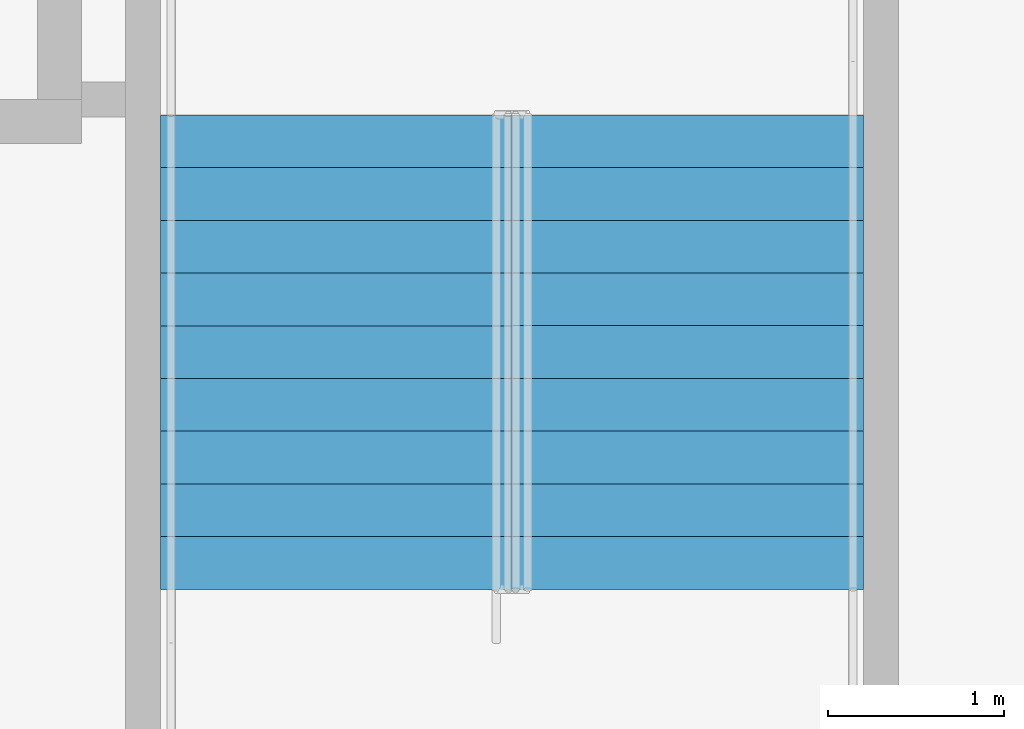
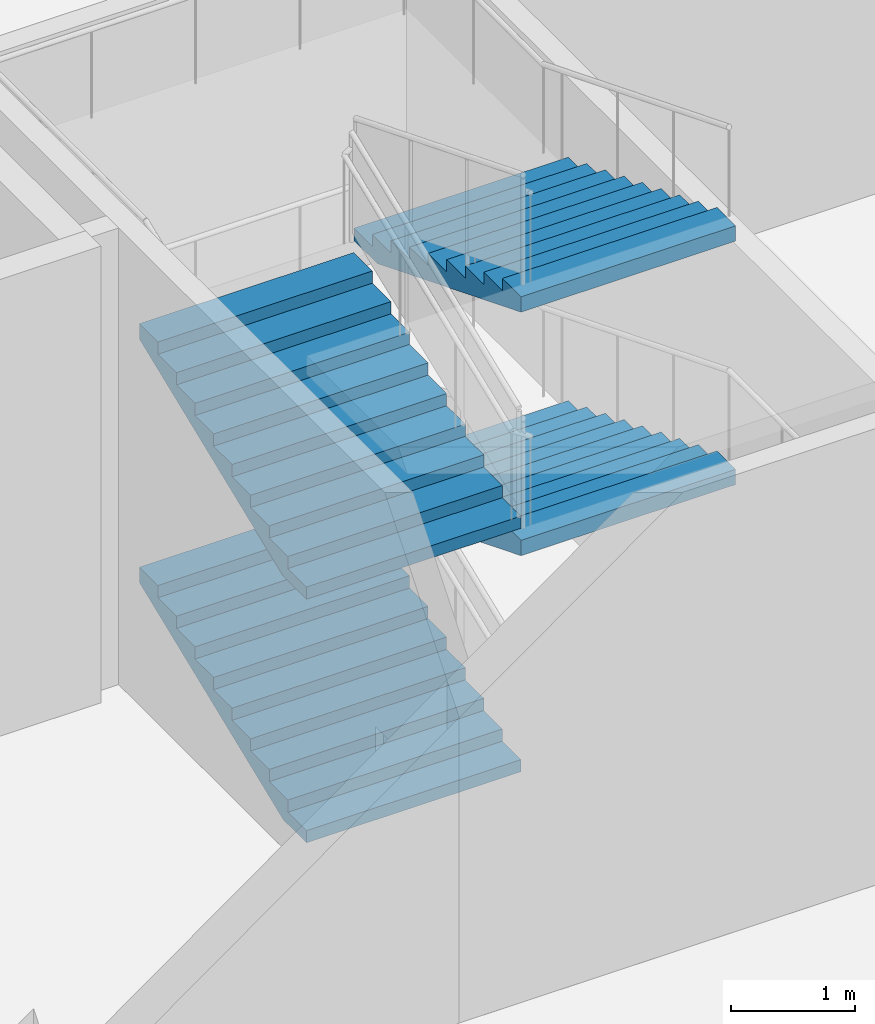
# One storey, part 22 of 26: 4 stair flights, 1 element without a shape of its own.
"""IFC4 building model written with IfcOpenShell, lengths in metres."""

from ifc_helpers import new_model, si_unit, direction, frame, origin, place, context, subcontext, project, spatial, faceted_brep, material, type_object, element, aggregate, save


model = new_model("IFC4")

# Units and contexts
model_context = context("Model", 3, precision=1e-05, world=origin(), true_north=direction((0.0, 1.0)))
body_context = subcontext(model_context, "Body", "Model", "MODEL_VIEW")
ifc_project = project(units=[si_unit("LENGTHUNIT", "METRE"), si_unit("AREAUNIT", "SQUARE_METRE"), si_unit("VOLUMEUNIT", "CUBIC_METRE"), si_unit("PLANEANGLEUNIT", "RADIAN"), si_unit("MASSUNIT", "GRAM", prefix="KILO")], contexts=[model_context])

# Site, building, storey
site_placement = place(None, origin())
site = spatial("IfcSite", under=ifc_project, at=site_placement, CompositionType="ELEMENT")
building_placement = place(site_placement, origin())
building = spatial("IfcBuilding", under=site, at=building_placement, Name="Rulbaag Community and Learning Centre", CompositionType="ELEMENT")
storey_placement = place(building_placement, frame((0.0, 0.0, -9.60009765625)))
storey = spatial("IfcBuildingStorey", under=building, at=storey_placement, Name="B2", CompositionType="ELEMENT", Elevation=-9.60009765625)

# Stair, stair flights
ifc_material = material(Name="Concrete M40", Category="concrete")
stair_type = type_object("IfcStairType", Name="ST-2000 STAIR 2000 WIDE", PredefinedType="HALF_TURN_STAIR", material=ifc_material)
stair_placement = place(storey_placement, origin())
stair = element("IfcStair", 1, at=stair_placement, inside=storey, type_object=stair_type, Name="Stair ST-H3 B2", PredefinedType="HALF_TURN_STAIR")
stair_flight_type = type_object("IfcStairFlightType", Name="FL-2000 FLIGHT 2000 WIDE Concrete M40", PredefinedType="STRAIGHT", material=ifc_material)
stair_flight_1_placement = place(storey_placement, frame((131.300048828125, 44.71240234375, 0.0), z_axis=(0.0, 0.0, 1.0), x_axis=(0.0, 1.0, 0.0)))
stair_flight_1 = element("IfcStairFlight", 2, at=stair_flight_1_placement, type_object=stair_flight_type, Name="ST-H3 flight 1", NumberOfRisers=10, NumberOfTreads=9, PredefinedType="STRAIGHT", RiserHeight=0.12, TreadLength=0.3, context=body_context, shape_type="Brep", body=[
    faceted_brep([(0.376708984375, -1.0, 0.0), (2.699951171875, -1.0, 0.929443359375), (2.699951171875, -1.0, 1.080078125), (2.39990234375, -1.0, 1.080078125), (2.39990234375, -1.0, 0.9599609375), (2.10009765625, -1.0, 0.9599609375), (2.10009765625, -1.0, 0.840087890625), (1.800048828125, -1.0, 0.840087890625), (1.800048828125, -1.0, 0.719970703125), (1.5, -1.0, 0.719970703125), (1.5, -1.0, 0.60009765625), (1.199951171875, -1.0, 0.60009765625), (1.199951171875, -1.0, 0.47998046875), (0.89990234375, -1.0, 0.47998046875), (0.89990234375, -1.0, 0.360107421875), (0.60009765625, -1.0, 0.360107421875), (0.60009765625, -1.0, 0.239990234375), (0.300048828125, -1.0, 0.239990234375), (0.300048828125, -1.0, 0.1201171875), (0.0, -1.0, 0.1201171875), (0.0, -1.0, 0.0), (0.0, 1.0, 0.0), (0.0, 1.0, 0.1201171875), (0.300048828125, 1.0, 0.1201171875), (0.300048828125, 1.0, 0.239990234375), (0.60009765625, 1.0, 0.239990234375), (0.60009765625, 1.0, 0.360107421875), (0.89990234375, 1.0, 0.360107421875), (0.89990234375, 1.0, 0.47998046875), (1.199951171875, 1.0, 0.47998046875), (1.199951171875, 1.0, 0.60009765625), (1.5, 1.0, 0.60009765625), (1.5, 1.0, 0.719970703125), (1.800048828125, 1.0, 0.719970703125), (1.800048828125, 1.0, 0.840087890625), (2.10009765625, 1.0, 0.840087890625), (2.10009765625, 1.0, 0.9599609375), (2.39990234375, 1.0, 0.9599609375), (2.39990234375, 1.0, 1.080078125), (2.699951171875, 1.0, 1.080078125), (2.699951171875, 1.0, 0.929443359375), (0.376708984375, 1.0, 0.0), (0.0, -0.333251953125, 0.1201171875), (0.0, -0.333251953125, 0.0), (0.0, 0.333251953125, 0.1201171875), (0.0, 0.333251953125, 0.0), (0.300048828125, -0.333251953125, 0.1201171875), (0.300048828125, 0.333251953125, 0.1201171875), (0.300048828125, -0.333251953125, 0.239990234375), (0.300048828125, 0.333251953125, 0.239990234375), (0.60009765625, -0.333251953125, 0.239990234375), (0.60009765625, 0.333251953125, 0.239990234375), (0.60009765625, -0.333251953125, 0.360107421875), (0.60009765625, 0.333251953125, 0.360107421875), (0.89990234375, -0.333251953125, 0.360107421875), (0.89990234375, 0.333251953125, 0.360107421875), (0.89990234375, -0.333251953125, 0.47998046875), (0.89990234375, 0.333251953125, 0.47998046875), (1.199951171875, -0.333251953125, 0.47998046875), (1.199951171875, 0.333251953125, 0.47998046875), (1.199951171875, -0.333251953125, 0.60009765625), (1.199951171875, 0.333251953125, 0.60009765625), (1.5, -0.333251953125, 0.60009765625), (1.5, 0.333251953125, 0.60009765625), (1.5, -0.333251953125, 0.719970703125), (1.5, 0.333251953125, 0.719970703125), (1.800048828125, -0.333251953125, 0.719970703125), (1.800048828125, 0.333251953125, 0.719970703125), (1.800048828125, -0.333251953125, 0.840087890625), (1.800048828125, 0.333251953125, 0.840087890625), (2.10009765625, -0.333251953125, 0.840087890625), (2.10009765625, 0.333251953125, 0.840087890625), (2.10009765625, -0.333251953125, 0.9599609375), (2.10009765625, 0.333251953125, 0.9599609375), (2.39990234375, -0.333251953125, 0.9599609375), (2.39990234375, 0.333251953125, 0.9599609375), (2.39990234375, -0.333251953125, 1.080078125), (2.39990234375, 0.333251953125, 1.080078125), (2.699951171875, -0.333251953125, 1.080078125), (2.699951171875, 0.333251953125, 1.080078125), (2.699951171875, -0.333251953125, 0.929443359375), (2.699951171875, 0.333251953125, 0.929443359375), (0.376708984375, -0.333251953125, 0.0), (0.376708984375, 0.333251953125, 0.0)], [[[0, 1, 2, 3, 4, 5, 6, 7, 8, 9, 10, 11, 12, 13, 14, 15, 16, 17, 18, 19, 20]], [[21, 22, 23, 24, 25, 26, 27, 28, 29, 30, 31, 32, 33, 34, 35, 36, 37, 38, 39, 40, 41]], [[20, 19, 42, 43]], [[43, 42, 44, 45]], [[45, 44, 22, 21]], [[19, 18, 46, 42]], [[42, 46, 47, 44]], [[44, 47, 23, 22]], [[18, 17, 48, 46]], [[46, 48, 49, 47]], [[47, 49, 24, 23]], [[17, 16, 50, 48]], [[48, 50, 51, 49]], [[49, 51, 25, 24]], [[16, 15, 52, 50]], [[50, 52, 53, 51]], [[51, 53, 26, 25]], [[15, 14, 54, 52]], [[52, 54, 55, 53]], [[53, 55, 27, 26]], [[14, 13, 56, 54]], [[54, 56, 57, 55]], [[55, 57, 28, 27]], [[13, 12, 58, 56]], [[56, 58, 59, 57]], [[57, 59, 29, 28]], [[12, 11, 60, 58]], [[58, 60, 61, 59]], [[59, 61, 30, 29]], [[11, 10, 62, 60]], [[60, 62, 63, 61]], [[61, 63, 31, 30]], [[10, 9, 64, 62]], [[62, 64, 65, 63]], [[63, 65, 32, 31]], [[9, 8, 66, 64]], [[64, 66, 67, 65]], [[65, 67, 33, 32]], [[8, 7, 68, 66]], [[66, 68, 69, 67]], [[67, 69, 34, 33]], [[7, 6, 70, 68]], [[68, 70, 71, 69]], [[69, 71, 35, 34]], [[6, 5, 72, 70]], [[70, 72, 73, 71]], [[71, 73, 36, 35]], [[5, 4, 74, 72]], [[72, 74, 75, 73]], [[73, 75, 37, 36]], [[4, 3, 76, 74]], [[74, 76, 77, 75]], [[75, 77, 38, 37]], [[3, 2, 78, 76]], [[76, 78, 79, 77]], [[77, 79, 39, 38]], [[2, 1, 80, 78]], [[78, 80, 81, 79]], [[79, 81, 40, 39]], [[1, 0, 82, 80]], [[80, 82, 83, 81]], [[81, 83, 41, 40]], [[0, 20, 43, 82]], [[82, 43, 45, 83]], [[83, 45, 21, 41]]]),
])
stair_flight_2_placement = place(storey_placement, frame((133.300048828125, 47.41259765625, 1.2001953125), z_axis=(0.0, 0.0, 1.0), x_axis=(0.0, -1.0, 0.0)))
stair_flight_2 = element("IfcStairFlight", 3, at=stair_flight_2_placement, type_object=stair_flight_type, Name="ST-H3 flight 2", NumberOfRisers=10, NumberOfTreads=9, PredefinedType="STRAIGHT", RiserHeight=0.12, TreadLength=0.3, context=body_context, shape_type="Brep", body=[
    faceted_brep([(0.376708984375, -1.0, 0.0), (2.699951171875, -1.0, 0.929443359375), (2.699951171875, -1.0, 1.080078125), (2.39990234375, -1.0, 1.080078125), (2.39990234375, -1.0, 0.9599609375), (2.10009765625, -1.0, 0.9599609375), (2.10009765625, -1.0, 0.840087890625), (1.800048828125, -1.0, 0.840087890625), (1.800048828125, -1.0, 0.719970703125), (1.5, -1.0, 0.719970703125), (1.5, -1.0, 0.60009765625), (1.199951171875, -1.0, 0.60009765625), (1.199951171875, -1.0, 0.47998046875), (0.89990234375, -1.0, 0.47998046875), (0.89990234375, -1.0, 0.360107421875), (0.60009765625, -1.0, 0.360107421875), (0.60009765625, -1.0, 0.239990234375), (0.300048828125, -1.0, 0.239990234375), (0.300048828125, -1.0, 0.1201171875), (0.0, -1.0, 0.1201171875), (0.0, -1.0, 0.0), (0.0, 1.0, 0.0), (0.0, 1.0, 0.1201171875), (0.300048828125, 1.0, 0.1201171875), (0.300048828125, 1.0, 0.239990234375), (0.60009765625, 1.0, 0.239990234375), (0.60009765625, 1.0, 0.360107421875), (0.89990234375, 1.0, 0.360107421875), (0.89990234375, 1.0, 0.47998046875), (1.199951171875, 1.0, 0.47998046875), (1.199951171875, 1.0, 0.60009765625), (1.5, 1.0, 0.60009765625), (1.5, 1.0, 0.719970703125), (1.800048828125, 1.0, 0.719970703125), (1.800048828125, 1.0, 0.840087890625), (2.10009765625, 1.0, 0.840087890625), (2.10009765625, 1.0, 0.9599609375), (2.39990234375, 1.0, 0.9599609375), (2.39990234375, 1.0, 1.080078125), (2.699951171875, 1.0, 1.080078125), (2.699951171875, 1.0, 0.929443359375), (0.376708984375, 1.0, 0.0), (0.0, -0.333251953125, 0.1201171875), (0.0, -0.333251953125, 0.0), (0.0, 0.333251953125, 0.1201171875), (0.0, 0.333251953125, 0.0), (0.300048828125, -0.333251953125, 0.1201171875), (0.300048828125, 0.333251953125, 0.1201171875), (0.300048828125, -0.333251953125, 0.239990234375), (0.300048828125, 0.333251953125, 0.239990234375), (0.60009765625, -0.333251953125, 0.239990234375), (0.60009765625, 0.333251953125, 0.239990234375), (0.60009765625, -0.333251953125, 0.360107421875), (0.60009765625, 0.333251953125, 0.360107421875), (0.89990234375, -0.333251953125, 0.360107421875), (0.89990234375, 0.333251953125, 0.360107421875), (0.89990234375, -0.333251953125, 0.47998046875), (0.89990234375, 0.333251953125, 0.47998046875), (1.199951171875, -0.333251953125, 0.47998046875), (1.199951171875, 0.333251953125, 0.47998046875), (1.199951171875, -0.333251953125, 0.60009765625), (1.199951171875, 0.333251953125, 0.60009765625), (1.5, -0.333251953125, 0.60009765625), (1.5, 0.333251953125, 0.60009765625), (1.5, -0.333251953125, 0.719970703125), (1.5, 0.333251953125, 0.719970703125), (1.800048828125, -0.333251953125, 0.719970703125), (1.800048828125, 0.333251953125, 0.719970703125), (1.800048828125, -0.333251953125, 0.840087890625), (1.800048828125, 0.333251953125, 0.840087890625), (2.10009765625, -0.333251953125, 0.840087890625), (2.10009765625, 0.333251953125, 0.840087890625), (2.10009765625, -0.333251953125, 0.9599609375), (2.10009765625, 0.333251953125, 0.9599609375), (2.39990234375, -0.333251953125, 0.9599609375), (2.39990234375, 0.333251953125, 0.9599609375), (2.39990234375, -0.333251953125, 1.080078125), (2.39990234375, 0.333251953125, 1.080078125), (2.699951171875, -0.333251953125, 1.080078125), (2.699951171875, 0.333251953125, 1.080078125), (2.699951171875, -0.333251953125, 0.929443359375), (2.699951171875, 0.333251953125, 0.929443359375), (0.376708984375, -0.333251953125, 0.0), (0.376708984375, 0.333251953125, 0.0)], [[[0, 1, 2, 3, 4, 5, 6, 7, 8, 9, 10, 11, 12, 13, 14, 15, 16, 17, 18, 19, 20]], [[21, 22, 23, 24, 25, 26, 27, 28, 29, 30, 31, 32, 33, 34, 35, 36, 37, 38, 39, 40, 41]], [[20, 19, 42, 43]], [[43, 42, 44, 45]], [[45, 44, 22, 21]], [[19, 18, 46, 42]], [[42, 46, 47, 44]], [[44, 47, 23, 22]], [[18, 17, 48, 46]], [[46, 48, 49, 47]], [[47, 49, 24, 23]], [[17, 16, 50, 48]], [[48, 50, 51, 49]], [[49, 51, 25, 24]], [[16, 15, 52, 50]], [[50, 52, 53, 51]], [[51, 53, 26, 25]], [[15, 14, 54, 52]], [[52, 54, 55, 53]], [[53, 55, 27, 26]], [[14, 13, 56, 54]], [[54, 56, 57, 55]], [[55, 57, 28, 27]], [[13, 12, 58, 56]], [[56, 58, 59, 57]], [[57, 59, 29, 28]], [[12, 11, 60, 58]], [[58, 60, 61, 59]], [[59, 61, 30, 29]], [[11, 10, 62, 60]], [[60, 62, 63, 61]], [[61, 63, 31, 30]], [[10, 9, 64, 62]], [[62, 64, 65, 63]], [[63, 65, 32, 31]], [[9, 8, 66, 64]], [[64, 66, 67, 65]], [[65, 67, 33, 32]], [[8, 7, 68, 66]], [[66, 68, 69, 67]], [[67, 69, 34, 33]], [[7, 6, 70, 68]], [[68, 70, 71, 69]], [[69, 71, 35, 34]], [[6, 5, 72, 70]], [[70, 72, 73, 71]], [[71, 73, 36, 35]], [[5, 4, 74, 72]], [[72, 74, 75, 73]], [[73, 75, 37, 36]], [[4, 3, 76, 74]], [[74, 76, 77, 75]], [[75, 77, 38, 37]], [[3, 2, 78, 76]], [[76, 78, 79, 77]], [[77, 79, 39, 38]], [[2, 1, 80, 78]], [[78, 80, 81, 79]], [[79, 81, 40, 39]], [[1, 0, 82, 80]], [[80, 82, 83, 81]], [[81, 83, 41, 40]], [[0, 20, 43, 82]], [[82, 43, 45, 83]], [[83, 45, 21, 41]]]),
])
stair_flight_3_placement = place(storey_placement, frame((131.300048828125, 44.71240234375, 2.400146484375), z_axis=(0.0, 0.0, 1.0), x_axis=(0.0, 1.0, 0.0)))
stair_flight_3 = element("IfcStairFlight", 4, at=stair_flight_3_placement, type_object=stair_flight_type, Name="ST-H3 flight 3", NumberOfRisers=10, NumberOfTreads=9, PredefinedType="STRAIGHT", RiserHeight=0.12, TreadLength=0.3, context=body_context, shape_type="Brep", body=[
    faceted_brep([(0.376708984375, -1.0, 0.0), (2.699951171875, -1.0, 0.929443359375), (2.699951171875, -1.0, 1.080078125), (2.39990234375, -1.0, 1.080078125), (2.39990234375, -1.0, 0.9599609375), (2.10009765625, -1.0, 0.9599609375), (2.10009765625, -1.0, 0.840087890625), (1.800048828125, -1.0, 0.840087890625), (1.800048828125, -1.0, 0.719970703125), (1.5, -1.0, 0.719970703125), (1.5, -1.0, 0.60009765625), (1.199951171875, -1.0, 0.60009765625), (1.199951171875, -1.0, 0.47998046875), (0.89990234375, -1.0, 0.47998046875), (0.89990234375, -1.0, 0.360107421875), (0.60009765625, -1.0, 0.360107421875), (0.60009765625, -1.0, 0.239990234375), (0.300048828125, -1.0, 0.239990234375), (0.300048828125, -1.0, 0.1201171875), (0.0, -1.0, 0.1201171875), (0.0, -1.0, 0.0), (0.0, 1.0, 0.0), (0.0, 1.0, 0.1201171875), (0.300048828125, 1.0, 0.1201171875), (0.300048828125, 1.0, 0.239990234375), (0.60009765625, 1.0, 0.239990234375), (0.60009765625, 1.0, 0.360107421875), (0.89990234375, 1.0, 0.360107421875), (0.89990234375, 1.0, 0.47998046875), (1.199951171875, 1.0, 0.47998046875), (1.199951171875, 1.0, 0.60009765625), (1.5, 1.0, 0.60009765625), (1.5, 1.0, 0.719970703125), (1.800048828125, 1.0, 0.719970703125), (1.800048828125, 1.0, 0.840087890625), (2.10009765625, 1.0, 0.840087890625), (2.10009765625, 1.0, 0.9599609375), (2.39990234375, 1.0, 0.9599609375), (2.39990234375, 1.0, 1.080078125), (2.699951171875, 1.0, 1.080078125), (2.699951171875, 1.0, 0.929443359375), (0.376708984375, 1.0, 0.0), (0.0, -0.333251953125, 0.1201171875), (0.0, -0.333251953125, 0.0), (0.0, 0.333251953125, 0.1201171875), (0.0, 0.333251953125, 0.0), (0.300048828125, -0.333251953125, 0.1201171875), (0.300048828125, 0.333251953125, 0.1201171875), (0.300048828125, -0.333251953125, 0.239990234375), (0.300048828125, 0.333251953125, 0.239990234375), (0.60009765625, -0.333251953125, 0.239990234375), (0.60009765625, 0.333251953125, 0.239990234375), (0.60009765625, -0.333251953125, 0.360107421875), (0.60009765625, 0.333251953125, 0.360107421875), (0.89990234375, -0.333251953125, 0.360107421875), (0.89990234375, 0.333251953125, 0.360107421875), (0.89990234375, -0.333251953125, 0.47998046875), (0.89990234375, 0.333251953125, 0.47998046875), (1.199951171875, -0.333251953125, 0.47998046875), (1.199951171875, 0.333251953125, 0.47998046875), (1.199951171875, -0.333251953125, 0.60009765625), (1.199951171875, 0.333251953125, 0.60009765625), (1.5, -0.333251953125, 0.60009765625), (1.5, 0.333251953125, 0.60009765625), (1.5, -0.333251953125, 0.719970703125), (1.5, 0.333251953125, 0.719970703125), (1.800048828125, -0.333251953125, 0.719970703125), (1.800048828125, 0.333251953125, 0.719970703125), (1.800048828125, -0.333251953125, 0.840087890625), (1.800048828125, 0.333251953125, 0.840087890625), (2.10009765625, -0.333251953125, 0.840087890625), (2.10009765625, 0.333251953125, 0.840087890625), (2.10009765625, -0.333251953125, 0.9599609375), (2.10009765625, 0.333251953125, 0.9599609375), (2.39990234375, -0.333251953125, 0.9599609375), (2.39990234375, 0.333251953125, 0.9599609375), (2.39990234375, -0.333251953125, 1.080078125), (2.39990234375, 0.333251953125, 1.080078125), (2.699951171875, -0.333251953125, 1.080078125), (2.699951171875, 0.333251953125, 1.080078125), (2.699951171875, -0.333251953125, 0.929443359375), (2.699951171875, 0.333251953125, 0.929443359375), (0.376708984375, -0.333251953125, 0.0), (0.376708984375, 0.333251953125, 0.0)], [[[0, 1, 2, 3, 4, 5, 6, 7, 8, 9, 10, 11, 12, 13, 14, 15, 16, 17, 18, 19, 20]], [[21, 22, 23, 24, 25, 26, 27, 28, 29, 30, 31, 32, 33, 34, 35, 36, 37, 38, 39, 40, 41]], [[20, 19, 42, 43]], [[43, 42, 44, 45]], [[45, 44, 22, 21]], [[19, 18, 46, 42]], [[42, 46, 47, 44]], [[44, 47, 23, 22]], [[18, 17, 48, 46]], [[46, 48, 49, 47]], [[47, 49, 24, 23]], [[17, 16, 50, 48]], [[48, 50, 51, 49]], [[49, 51, 25, 24]], [[16, 15, 52, 50]], [[50, 52, 53, 51]], [[51, 53, 26, 25]], [[15, 14, 54, 52]], [[52, 54, 55, 53]], [[53, 55, 27, 26]], [[14, 13, 56, 54]], [[54, 56, 57, 55]], [[55, 57, 28, 27]], [[13, 12, 58, 56]], [[56, 58, 59, 57]], [[57, 59, 29, 28]], [[12, 11, 60, 58]], [[58, 60, 61, 59]], [[59, 61, 30, 29]], [[11, 10, 62, 60]], [[60, 62, 63, 61]], [[61, 63, 31, 30]], [[10, 9, 64, 62]], [[62, 64, 65, 63]], [[63, 65, 32, 31]], [[9, 8, 66, 64]], [[64, 66, 67, 65]], [[65, 67, 33, 32]], [[8, 7, 68, 66]], [[66, 68, 69, 67]], [[67, 69, 34, 33]], [[7, 6, 70, 68]], [[68, 70, 71, 69]], [[69, 71, 35, 34]], [[6, 5, 72, 70]], [[70, 72, 73, 71]], [[71, 73, 36, 35]], [[5, 4, 74, 72]], [[72, 74, 75, 73]], [[73, 75, 37, 36]], [[4, 3, 76, 74]], [[74, 76, 77, 75]], [[75, 77, 38, 37]], [[3, 2, 78, 76]], [[76, 78, 79, 77]], [[77, 79, 39, 38]], [[2, 1, 80, 78]], [[78, 80, 81, 79]], [[79, 81, 40, 39]], [[1, 0, 82, 80]], [[80, 82, 83, 81]], [[81, 83, 41, 40]], [[0, 20, 43, 82]], [[82, 43, 45, 83]], [[83, 45, 21, 41]]]),
])
stair_flight_4_placement = place(storey_placement, frame((133.300048828125, 47.41259765625, 3.60009765625), z_axis=(0.0, 0.0, 1.0), x_axis=(0.0, -1.0, 0.0)))
stair_flight_4 = element("IfcStairFlight", 5, at=stair_flight_4_placement, type_object=stair_flight_type, Name="ST-H3 flight 4", NumberOfRisers=10, NumberOfTreads=9, PredefinedType="STRAIGHT", RiserHeight=0.12, TreadLength=0.3, context=body_context, shape_type="Brep", body=[
    faceted_brep([(0.376708984375, -1.0, 0.0), (2.699951171875, -1.0, 0.929443359375), (2.699951171875, -1.0, 1.080078125), (2.39990234375, -1.0, 1.080078125), (2.39990234375, -1.0, 0.9599609375), (2.10009765625, -1.0, 0.9599609375), (2.10009765625, -1.0, 0.840087890625), (1.800048828125, -1.0, 0.840087890625), (1.800048828125, -1.0, 0.719970703125), (1.5, -1.0, 0.719970703125), (1.5, -1.0, 0.60009765625), (1.199951171875, -1.0, 0.60009765625), (1.199951171875, -1.0, 0.47998046875), (0.89990234375, -1.0, 0.47998046875), (0.89990234375, -1.0, 0.360107421875), (0.60009765625, -1.0, 0.360107421875), (0.60009765625, -1.0, 0.239990234375), (0.300048828125, -1.0, 0.239990234375), (0.300048828125, -1.0, 0.1201171875), (0.0, -1.0, 0.1201171875), (0.0, -1.0, 0.0), (0.0, 1.0, 0.0), (0.0, 1.0, 0.1201171875), (0.300048828125, 1.0, 0.1201171875), (0.300048828125, 1.0, 0.239990234375), (0.60009765625, 1.0, 0.239990234375), (0.60009765625, 1.0, 0.360107421875), (0.89990234375, 1.0, 0.360107421875), (0.89990234375, 1.0, 0.47998046875), (1.199951171875, 1.0, 0.47998046875), (1.199951171875, 1.0, 0.60009765625), (1.5, 1.0, 0.60009765625), (1.5, 1.0, 0.719970703125), (1.800048828125, 1.0, 0.719970703125), (1.800048828125, 1.0, 0.840087890625), (2.10009765625, 1.0, 0.840087890625), (2.10009765625, 1.0, 0.9599609375), (2.39990234375, 1.0, 0.9599609375), (2.39990234375, 1.0, 1.080078125), (2.699951171875, 1.0, 1.080078125), (2.699951171875, 1.0, 0.929443359375), (0.376708984375, 1.0, 0.0), (0.0, -0.333251953125, 0.1201171875), (0.0, -0.333251953125, 0.0), (0.0, 0.333251953125, 0.1201171875), (0.0, 0.333251953125, 0.0), (0.300048828125, -0.333251953125, 0.1201171875), (0.300048828125, 0.333251953125, 0.1201171875), (0.300048828125, -0.333251953125, 0.239990234375), (0.300048828125, 0.333251953125, 0.239990234375), (0.60009765625, -0.333251953125, 0.239990234375), (0.60009765625, 0.333251953125, 0.239990234375), (0.60009765625, -0.333251953125, 0.360107421875), (0.60009765625, 0.333251953125, 0.360107421875), (0.89990234375, -0.333251953125, 0.360107421875), (0.89990234375, 0.333251953125, 0.360107421875), (0.89990234375, -0.333251953125, 0.47998046875), (0.89990234375, 0.333251953125, 0.47998046875), (1.199951171875, -0.333251953125, 0.47998046875), (1.199951171875, 0.333251953125, 0.47998046875), (1.199951171875, -0.333251953125, 0.60009765625), (1.199951171875, 0.333251953125, 0.60009765625), (1.5, -0.333251953125, 0.60009765625), (1.5, 0.333251953125, 0.60009765625), (1.5, -0.333251953125, 0.719970703125), (1.5, 0.333251953125, 0.719970703125), (1.800048828125, -0.333251953125, 0.719970703125), (1.800048828125, 0.333251953125, 0.719970703125), (1.800048828125, -0.333251953125, 0.840087890625), (1.800048828125, 0.333251953125, 0.840087890625), (2.10009765625, -0.333251953125, 0.840087890625), (2.10009765625, 0.333251953125, 0.840087890625), (2.10009765625, -0.333251953125, 0.9599609375), (2.10009765625, 0.333251953125, 0.9599609375), (2.39990234375, -0.333251953125, 0.9599609375), (2.39990234375, 0.333251953125, 0.9599609375), (2.39990234375, -0.333251953125, 1.080078125), (2.39990234375, 0.333251953125, 1.080078125), (2.699951171875, -0.333251953125, 1.080078125), (2.699951171875, 0.333251953125, 1.080078125), (2.699951171875, -0.333251953125, 0.929443359375), (2.699951171875, 0.333251953125, 0.929443359375), (0.376708984375, -0.333251953125, 0.0), (0.376708984375, 0.333251953125, 0.0)], [[[0, 1, 2, 3, 4, 5, 6, 7, 8, 9, 10, 11, 12, 13, 14, 15, 16, 17, 18, 19, 20]], [[21, 22, 23, 24, 25, 26, 27, 28, 29, 30, 31, 32, 33, 34, 35, 36, 37, 38, 39, 40, 41]], [[20, 19, 42, 43]], [[43, 42, 44, 45]], [[45, 44, 22, 21]], [[19, 18, 46, 42]], [[42, 46, 47, 44]], [[44, 47, 23, 22]], [[18, 17, 48, 46]], [[46, 48, 49, 47]], [[47, 49, 24, 23]], [[17, 16, 50, 48]], [[48, 50, 51, 49]], [[49, 51, 25, 24]], [[16, 15, 52, 50]], [[50, 52, 53, 51]], [[51, 53, 26, 25]], [[15, 14, 54, 52]], [[52, 54, 55, 53]], [[53, 55, 27, 26]], [[14, 13, 56, 54]], [[54, 56, 57, 55]], [[55, 57, 28, 27]], [[13, 12, 58, 56]], [[56, 58, 59, 57]], [[57, 59, 29, 28]], [[12, 11, 60, 58]], [[58, 60, 61, 59]], [[59, 61, 30, 29]], [[11, 10, 62, 60]], [[60, 62, 63, 61]], [[61, 63, 31, 30]], [[10, 9, 64, 62]], [[62, 64, 65, 63]], [[63, 65, 32, 31]], [[9, 8, 66, 64]], [[64, 66, 67, 65]], [[65, 67, 33, 32]], [[8, 7, 68, 66]], [[66, 68, 69, 67]], [[67, 69, 34, 33]], [[7, 6, 70, 68]], [[68, 70, 71, 69]], [[69, 71, 35, 34]], [[6, 5, 72, 70]], [[70, 72, 73, 71]], [[71, 73, 36, 35]], [[5, 4, 74, 72]], [[72, 74, 75, 73]], [[73, 75, 37, 36]], [[4, 3, 76, 74]], [[74, 76, 77, 75]], [[75, 77, 38, 37]], [[3, 2, 78, 76]], [[76, 78, 79, 77]], [[77, 79, 39, 38]], [[2, 1, 80, 78]], [[78, 80, 81, 79]], [[79, 81, 40, 39]], [[1, 0, 82, 80]], [[80, 82, 83, 81]], [[81, 83, 41, 40]], [[0, 20, 43, 82]], [[82, 43, 45, 83]], [[83, 45, 21, 41]]]),
])
aggregate(stair, [stair_flight_1, stair_flight_2, stair_flight_3, stair_flight_4])

save(model, "model.ifc")
